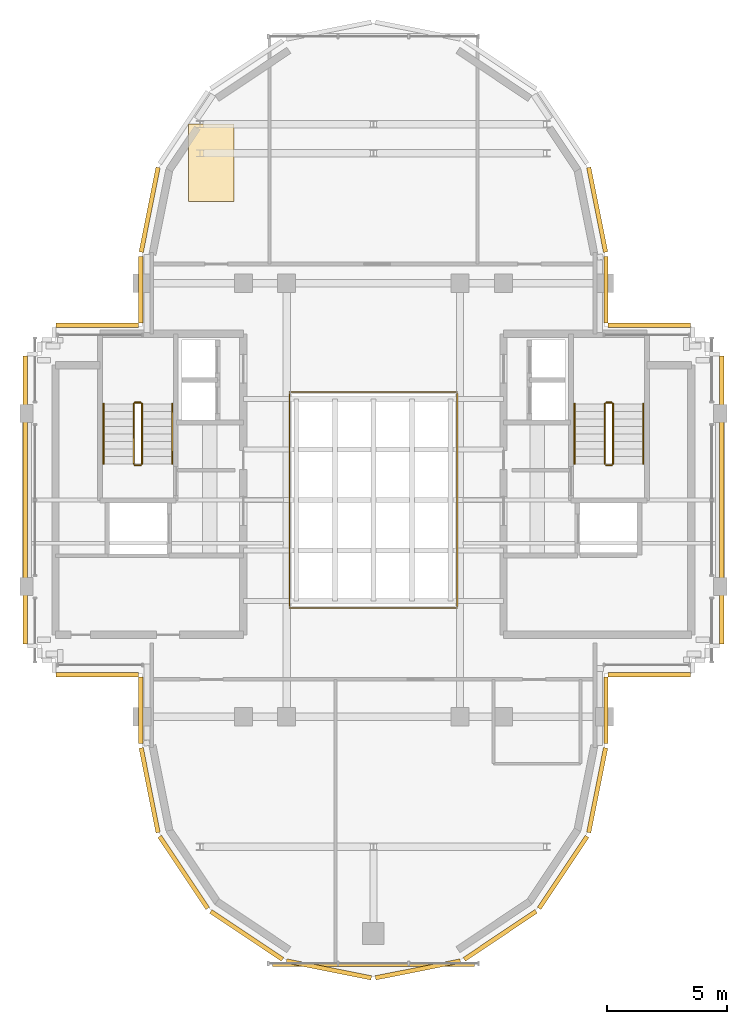
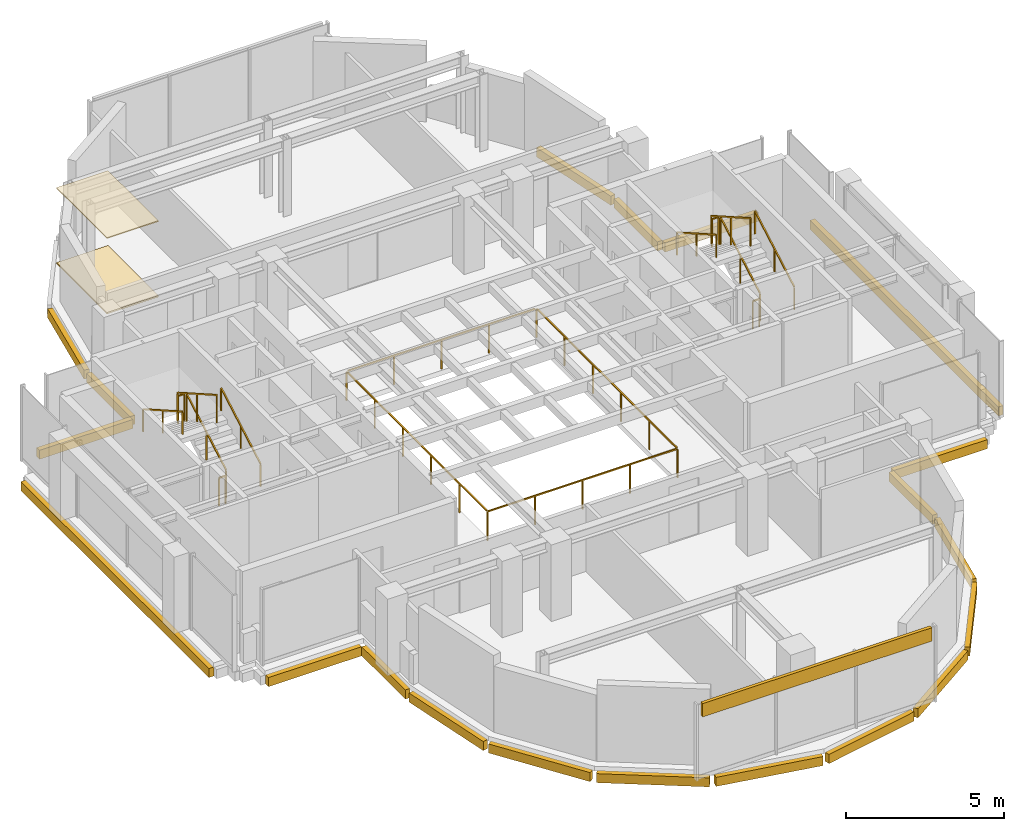
# One storey, part 10 of 11: 23 coverings, 13 railings.
"""IFC4 building model written with IfcOpenShell, lengths in metres."""

from ifc_helpers import new_model, si_unit, direction, frame, origin, origin_2d, place, context, subcontext, project, spatial, rectangle, extrude, source, transform, mapped, material, layer, layer_set, type_object, element, save


model = new_model("IFC4")

# Units and contexts
model_context = context("Model", 3, precision=1e-05, world=origin(), true_north=direction((0.0, 1.0)))
body_context = subcontext(model_context, "Body", "Model", "MODEL_VIEW")
ifc_project = project(units=[si_unit("LENGTHUNIT", "METRE"), si_unit("AREAUNIT", "SQUARE_METRE"), si_unit("VOLUMEUNIT", "CUBIC_METRE"), si_unit("PLANEANGLEUNIT", "RADIAN"), si_unit("MASSUNIT", "GRAM", prefix="KILO")], contexts=[model_context])

# Site, building, storey
site_placement = place(None, origin())
site = spatial("IfcSite", under=ifc_project, at=site_placement, CompositionType="ELEMENT")
building_placement = place(site_placement, origin())
building = spatial("IfcBuilding", under=site, at=building_placement, Name="Keilestroom Media Tower", CompositionType="ELEMENT")
storey_placement = place(building_placement, frame((0.0, 0.0, 268.39990234375)))
storey = spatial("IfcBuildingStorey", under=building, at=storey_placement, Name="L75", CompositionType="ELEMENT", Elevation=268.39990234375)

# Railings
ifc_material_1 = material(Name="Laminated Safety Glass & Bronze Steel", Category="steel")
railing_type_1 = type_object("IfcRailingType", Name="Atrium-Void-Guard-Balustrade-1150", PredefinedType="BALUSTRADE", material=ifc_material_1)
railing_1_placement = place(storey_placement, frame((-3.47998046875, -4.47998046875, 0.0)))
element("IfcRailing", 1, at=railing_1_placement, inside=storey, type_object=railing_type_1, Name="L75 Central Atrium Void Balustrade", PredefinedType="BALUSTRADE", context=body_context, shape_type="SweptSolid", body=[
    extrude(rectangle(XDim=0.048095703125, YDim=0.048095703125, at=origin_2d()), frame((0.0, 0.0, 1.1259765625), z_axis=(1.0, 0.0, 0.0), x_axis=(0.0, 1.0, 0.0)), (0.0, 0.0, 1.0), 6.911865234375),
    extrude(rectangle(XDim=0.048095703125, YDim=0.048095703125, at=origin_2d()), frame((6.9599609375, 0.048095703125, 1.1259765625), z_axis=(0.0, 1.0, 0.0), x_axis=(-1.0, 0.0, 0.0)), (0.0, 0.0, 1.0), 8.86376953125),
    extrude(rectangle(XDim=0.048095703125, YDim=0.048095703125, at=origin_2d()), frame((6.911865234375, 8.9599609375, 1.1259765625), z_axis=(-1.0, 0.0, 0.0), x_axis=(0.0, -1.0, 0.0)), (0.0, 0.0, 1.0), 6.86376953125),
    extrude(rectangle(XDim=0.048095703125, YDim=0.048095703125, at=origin_2d()), frame((0.0, 8.911865234375, 1.1259765625), z_axis=(0.0, -1.0, 0.0), x_axis=(1.0, 0.0, 0.0)), (0.0, 0.0, 1.0), 8.86376953125),
    extrude(rectangle(XDim=0.0419921875, YDim=0.0419921875, at=origin_2d()), origin(), (0.0, 0.0, 1.0), 1.09375),
    extrude(rectangle(XDim=0.0419921875, YDim=0.0419921875, at=origin_2d()), frame((1.739990234375, 0.0, 0.0)), (0.0, 0.0, 1.0), 1.09375),
    extrude(rectangle(XDim=0.0419921875, YDim=0.0419921875, at=origin_2d()), frame((3.47998046875, 0.0, 0.0)), (0.0, 0.0, 1.0), 1.09375),
    extrude(rectangle(XDim=0.0419921875, YDim=0.0419921875, at=origin_2d()), frame((5.219970703125, 0.0, 0.0)), (0.0, 0.0, 1.0), 1.09375),
    extrude(rectangle(XDim=0.0419921875, YDim=0.0419921875, at=origin_2d()), frame((6.9599609375, 0.0, 0.0)), (0.0, 0.0, 1.0), 1.09375),
    extrude(rectangle(XDim=0.0419921875, YDim=0.0419921875, at=origin_2d()), frame((6.9599609375, 1.7919921875, 0.0)), (0.0, 0.0, 1.0), 1.09375),
    extrude(rectangle(XDim=0.0419921875, YDim=0.0419921875, at=origin_2d()), frame((6.9599609375, 3.583984375, 0.0)), (0.0, 0.0, 1.0), 1.09375),
    extrude(rectangle(XDim=0.0419921875, YDim=0.0419921875, at=origin_2d()), frame((6.9599609375, 5.3759765625, 0.0)), (0.0, 0.0, 1.0), 1.09375),
    extrude(rectangle(XDim=0.0419921875, YDim=0.0419921875, at=origin_2d()), frame((6.9599609375, 7.16796875, 0.0)), (0.0, 0.0, 1.0), 1.09375),
    extrude(rectangle(XDim=0.0419921875, YDim=0.0419921875, at=origin_2d()), frame((6.9599609375, 8.9599609375, 0.0)), (0.0, 0.0, 1.0), 1.09375),
    extrude(rectangle(XDim=0.0419921875, YDim=0.0419921875, at=origin_2d()), frame((5.219970703125, 8.9599609375, 0.0)), (0.0, 0.0, 1.0), 1.09375),
    extrude(rectangle(XDim=0.0419921875, YDim=0.0419921875, at=origin_2d()), frame((3.47998046875, 8.9599609375, 0.0)), (0.0, 0.0, 1.0), 1.09375),
    extrude(rectangle(XDim=0.0419921875, YDim=0.0419921875, at=origin_2d()), frame((1.739990234375, 8.9599609375, 0.0)), (0.0, 0.0, 1.0), 1.09375),
    extrude(rectangle(XDim=0.0419921875, YDim=0.0419921875, at=origin_2d()), frame((0.0, 8.9599609375, 0.0)), (0.0, 0.0, 1.0), 1.09375),
    extrude(rectangle(XDim=0.0419921875, YDim=0.0419921875, at=origin_2d()), frame((0.0, 7.16796875, 0.0)), (0.0, 0.0, 1.0), 1.09375),
    extrude(rectangle(XDim=0.0419921875, YDim=0.0419921875, at=origin_2d()), frame((0.0, 5.3759765625, 0.0)), (0.0, 0.0, 1.0), 1.09375),
    extrude(rectangle(XDim=0.0419921875, YDim=0.0419921875, at=origin_2d()), frame((0.0, 3.583984375, 0.0)), (0.0, 0.0, 1.0), 1.09375),
    extrude(rectangle(XDim=0.0419921875, YDim=0.0419921875, at=origin_2d()), frame((0.0, 1.7919921875, 0.0)), (0.0, 0.0, 1.0), 1.09375),
])
ifc_material_2 = material(Name="Brushed Stainless Steel 1.4301", Category="steel")
railing_type_2 = type_object("IfcRailingType", Name="Stair-Pitch-Handrail-920", PredefinedType="HANDRAIL", material=ifc_material_2)
railing_2_placement = place(storey_placement, frame((-8.35009765625, 1.5, 0.177978515625)))
element("IfcRailing", 2, at=railing_2_placement, inside=storey, type_object=railing_type_2, Name="L75 ST-1 stair handrail 1", PredefinedType="HANDRAIL", context=body_context, shape_type="SweptSolid", body=[
    extrude(rectangle(XDim=0.048095703125, YDim=0.048095703125, at=origin_2d()), frame((0.0, 0.0, 0.8759765625), z_axis=(0.0, 0.868875238982, 0.495031129408), x_axis=(-1.0, 0.0, 0.0)), (0.0, 0.0, 1.0), 2.872802734375),
    extrude(rectangle(XDim=0.0419921875, YDim=0.0419921875, at=origin_2d()), origin(), (0.0, 0.0, 1.0), 0.84375),
    extrude(rectangle(XDim=0.0419921875, YDim=0.0419921875, at=origin_2d()), frame((0.0, 1.248046875, 0.7109375)), (0.0, 0.0, 1.0), 0.84375),
    extrude(rectangle(XDim=0.0419921875, YDim=0.0419921875, at=origin_2d()), frame((0.0, 2.49609375, 1.422119140625)), (0.0, 0.0, 1.0), 0.84375),
])
railing_3_placement = place(storey_placement, frame((-11.2099609375, 3.99609375, 1.77783203125)))
element("IfcRailing", 3, at=railing_3_placement, inside=storey, type_object=railing_type_2, Name="L75 ST-1 stair handrail 2", PredefinedType="HANDRAIL", context=body_context, shape_type="SweptSolid", body=[
    extrude(rectangle(XDim=0.048095703125, YDim=0.048095703125, at=origin_2d()), frame((0.0, 0.0, 0.8759765625), z_axis=(0.0, -0.868838684858, 0.495095283449), x_axis=(1.0, 0.0, 0.0)), (0.0, 0.0, 1.0), 2.872802734375),
    extrude(rectangle(XDim=0.0419921875, YDim=0.0419921875, at=origin_2d()), origin(), (0.0, 0.0, 1.0), 0.84375),
    extrude(rectangle(XDim=0.0419921875, YDim=0.0419921875, at=origin_2d()), frame((0.0, -1.248046875, 0.711181640625)), (0.0, 0.0, 1.0), 0.84375),
    extrude(rectangle(XDim=0.0419921875, YDim=0.0419921875, at=origin_2d()), frame((0.0, -2.49609375, 1.42236328125)), (0.0, 0.0, 1.0), 0.84375),
])
railing_4_placement = place(storey_placement, frame((11.2099609375, 1.5, 0.177978515625)))
element("IfcRailing", 4, at=railing_4_placement, inside=storey, type_object=railing_type_2, Name="L75 ST-2 stair handrail 1", PredefinedType="HANDRAIL", context=body_context, shape_type="SweptSolid", body=[
    extrude(rectangle(XDim=0.048095703125, YDim=0.048095703125, at=origin_2d()), frame((0.0, 0.0, 0.8759765625), z_axis=(0.0, 0.868875238982, 0.495031129408), x_axis=(-1.0, 0.0, 0.0)), (0.0, 0.0, 1.0), 2.872802734375),
    extrude(rectangle(XDim=0.0419921875, YDim=0.0419921875, at=origin_2d()), origin(), (0.0, 0.0, 1.0), 0.84375),
    extrude(rectangle(XDim=0.0419921875, YDim=0.0419921875, at=origin_2d()), frame((0.0, 1.248046875, 0.7109375)), (0.0, 0.0, 1.0), 0.84375),
    extrude(rectangle(XDim=0.0419921875, YDim=0.0419921875, at=origin_2d()), frame((0.0, 2.49609375, 1.422119140625)), (0.0, 0.0, 1.0), 0.84375),
])
railing_5_placement = place(storey_placement, frame((8.35009765625, 3.99609375, 1.77783203125)))
element("IfcRailing", 5, at=railing_5_placement, inside=storey, type_object=railing_type_2, Name="L75 ST-2 stair handrail 2", PredefinedType="HANDRAIL", context=body_context, shape_type="SweptSolid", body=[
    extrude(rectangle(XDim=0.048095703125, YDim=0.048095703125, at=origin_2d()), frame((0.0, 0.0, 0.8759765625), z_axis=(0.0, -0.868838684858, 0.495095283449), x_axis=(1.0, 0.0, 0.0)), (0.0, 0.0, 1.0), 2.872802734375),
    extrude(rectangle(XDim=0.0419921875, YDim=0.0419921875, at=origin_2d()), origin(), (0.0, 0.0, 1.0), 0.84375),
    extrude(rectangle(XDim=0.0419921875, YDim=0.0419921875, at=origin_2d()), frame((0.0, -1.248046875, 0.711181640625)), (0.0, 0.0, 1.0), 0.84375),
    extrude(rectangle(XDim=0.0419921875, YDim=0.0419921875, at=origin_2d()), frame((0.0, -2.49609375, 1.42236328125)), (0.0, 0.0, 1.0), 0.84375),
])
ifc_material_3 = material(Name="Painted Steel Balustrade", Category="steel")
railing_type_3 = type_object("IfcRailingType", Name="Stair-Well-And-Landing-Guard-1100", PredefinedType="GUARDRAIL", material=ifc_material_3)
railing_6_placement = place(storey_placement, frame((-9.610107421875, 1.5, 0.177978515625)))
element("IfcRailing", 6, at=railing_6_placement, inside=storey, type_object=railing_type_3, Name="L75 ST-1 stair guard 1", PredefinedType="GUARDRAIL", context=body_context, shape_type="SweptSolid", body=[
    extrude(rectangle(XDim=0.048095703125, YDim=0.048095703125, at=origin_2d()), frame((0.0, 0.0, 1.076171875), z_axis=(0.0, 0.868875238982, 0.495031129408), x_axis=(-1.0, 0.0, 0.0)), (0.0, 0.0, 1.0), 2.872802734375),
    extrude(rectangle(XDim=0.0419921875, YDim=0.0419921875, at=origin_2d()), origin(), (0.0, 0.0, 1.0), 1.0439453125),
    extrude(rectangle(XDim=0.0419921875, YDim=0.0419921875, at=origin_2d()), frame((0.0, 1.248046875, 0.7109375)), (0.0, 0.0, 1.0), 1.0439453125),
    extrude(rectangle(XDim=0.0419921875, YDim=0.0419921875, at=origin_2d()), frame((0.0, 2.49609375, 1.422119140625)), (0.0, 0.0, 1.0), 1.0439453125),
])
railing_7_placement = place(storey_placement, frame((-9.659912109375, 4.0458984375, 1.60009765625)))
element("IfcRailing", 7, at=railing_7_placement, inside=storey, type_object=railing_type_3, Name="L75 ST-1 stair guard 2", PredefinedType="GUARDRAIL", context=body_context, shape_type="SweptSolid", body=[
    extrude(rectangle(XDim=0.048095703125, YDim=0.048095703125, at=origin_2d()), frame((0.0, 0.0, 1.076171875), z_axis=(-1.0, 0.0, 0.0), x_axis=(0.0, -1.0, 0.0)), (0.0, 0.0, 1.0), 0.239990234375),
    extrude(rectangle(XDim=0.0419921875, YDim=0.0419921875, at=origin_2d()), origin(), (0.0, 0.0, 1.0), 1.0439453125),
    extrude(rectangle(XDim=0.0419921875, YDim=0.0419921875, at=origin_2d()), frame((-0.239990234375, 0.0, 0.0)), (0.0, 0.0, 1.0), 1.0439453125),
])
railing_8_placement = place(storey_placement, frame((-9.949951171875, 3.99609375, 1.77783203125)))
element("IfcRailing", 8, at=railing_8_placement, inside=storey, type_object=railing_type_3, Name="L75 ST-1 stair guard 3", PredefinedType="GUARDRAIL", context=body_context, shape_type="SweptSolid", body=[
    extrude(rectangle(XDim=0.048095703125, YDim=0.048095703125, at=origin_2d()), frame((0.0, 0.0, 1.076171875), z_axis=(0.0, -0.868838684858, 0.495095283449), x_axis=(1.0, 0.0, 0.0)), (0.0, 0.0, 1.0), 2.872802734375),
    extrude(rectangle(XDim=0.0419921875, YDim=0.0419921875, at=origin_2d()), origin(), (0.0, 0.0, 1.0), 1.0439453125),
    extrude(rectangle(XDim=0.0419921875, YDim=0.0419921875, at=origin_2d()), frame((0.0, -1.248046875, 0.711181640625)), (0.0, 0.0, 1.0), 1.0439453125),
    extrude(rectangle(XDim=0.0419921875, YDim=0.0419921875, at=origin_2d()), frame((0.0, -2.49609375, 1.42236328125)), (0.0, 0.0, 1.0), 1.0439453125),
])
railing_9_placement = place(storey_placement, frame((-9.659912109375, 1.449951171875, 0.0)))
element("IfcRailing", 9, at=railing_9_placement, inside=storey, type_object=railing_type_3, Name="L75 ST-1 stair guard 4", PredefinedType="GUARDRAIL", context=body_context, shape_type="SweptSolid", body=[
    extrude(rectangle(XDim=0.048095703125, YDim=0.048095703125, at=origin_2d()), frame((0.0, 0.0, 1.076171875), z_axis=(-1.0, 0.0, 0.0), x_axis=(0.0, -1.0, 0.0)), (0.0, 0.0, 1.0), 0.239990234375),
    extrude(rectangle(XDim=0.0419921875, YDim=0.0419921875, at=origin_2d()), origin(), (0.0, 0.0, 1.0), 1.0439453125),
    extrude(rectangle(XDim=0.0419921875, YDim=0.0419921875, at=origin_2d()), frame((-0.239990234375, 0.0, 0.0)), (0.0, 0.0, 1.0), 1.0439453125),
])
railing_10_placement = place(storey_placement, frame((9.949951171875, 1.5, 0.177978515625)))
element("IfcRailing", 10, at=railing_10_placement, inside=storey, type_object=railing_type_3, Name="L75 ST-2 stair guard 1", PredefinedType="GUARDRAIL", context=body_context, shape_type="SweptSolid", body=[
    extrude(rectangle(XDim=0.048095703125, YDim=0.048095703125, at=origin_2d()), frame((0.0, 0.0, 1.076171875), z_axis=(0.0, 0.868875238982, 0.495031129408), x_axis=(-1.0, 0.0, 0.0)), (0.0, 0.0, 1.0), 2.872802734375),
    extrude(rectangle(XDim=0.0419921875, YDim=0.0419921875, at=origin_2d()), origin(), (0.0, 0.0, 1.0), 1.0439453125),
    extrude(rectangle(XDim=0.0419921875, YDim=0.0419921875, at=origin_2d()), frame((0.0, 1.248046875, 0.7109375)), (0.0, 0.0, 1.0), 1.0439453125),
    extrude(rectangle(XDim=0.0419921875, YDim=0.0419921875, at=origin_2d()), frame((0.0, 2.49609375, 1.422119140625)), (0.0, 0.0, 1.0), 1.0439453125),
])
railing_11_placement = place(storey_placement, frame((9.89990234375, 4.0458984375, 1.60009765625)))
element("IfcRailing", 11, at=railing_11_placement, inside=storey, type_object=railing_type_3, Name="L75 ST-2 stair guard 2", PredefinedType="GUARDRAIL", context=body_context, shape_type="SweptSolid", body=[
    extrude(rectangle(XDim=0.048095703125, YDim=0.048095703125, at=origin_2d()), frame((0.0, 0.0, 1.076171875), z_axis=(-1.0, 0.0, 0.0), x_axis=(0.0, -1.0, 0.0)), (0.0, 0.0, 1.0), 0.239990234375),
    extrude(rectangle(XDim=0.0419921875, YDim=0.0419921875, at=origin_2d()), origin(), (0.0, 0.0, 1.0), 1.0439453125),
    extrude(rectangle(XDim=0.0419921875, YDim=0.0419921875, at=origin_2d()), frame((-0.239990234375, 0.0, 0.0)), (0.0, 0.0, 1.0), 1.0439453125),
])
railing_12_placement = place(storey_placement, frame((9.610107421875, 3.99609375, 1.77783203125)))
element("IfcRailing", 12, at=railing_12_placement, inside=storey, type_object=railing_type_3, Name="L75 ST-2 stair guard 3", PredefinedType="GUARDRAIL", context=body_context, shape_type="SweptSolid", body=[
    extrude(rectangle(XDim=0.048095703125, YDim=0.048095703125, at=origin_2d()), frame((0.0, 0.0, 1.076171875), z_axis=(0.0, -0.868838684858, 0.495095283449), x_axis=(1.0, 0.0, 0.0)), (0.0, 0.0, 1.0), 2.872802734375),
    extrude(rectangle(XDim=0.0419921875, YDim=0.0419921875, at=origin_2d()), origin(), (0.0, 0.0, 1.0), 1.0439453125),
    extrude(rectangle(XDim=0.0419921875, YDim=0.0419921875, at=origin_2d()), frame((0.0, -1.248046875, 0.711181640625)), (0.0, 0.0, 1.0), 1.0439453125),
    extrude(rectangle(XDim=0.0419921875, YDim=0.0419921875, at=origin_2d()), frame((0.0, -2.49609375, 1.42236328125)), (0.0, 0.0, 1.0), 1.0439453125),
])
railing_13_placement = place(storey_placement, frame((9.89990234375, 1.449951171875, 0.0)))
element("IfcRailing", 13, at=railing_13_placement, inside=storey, type_object=railing_type_3, Name="L75 ST-2 stair guard 4", PredefinedType="GUARDRAIL", context=body_context, shape_type="SweptSolid", body=[
    extrude(rectangle(XDim=0.048095703125, YDim=0.048095703125, at=origin_2d()), frame((0.0, 0.0, 1.076171875), z_axis=(-1.0, 0.0, 0.0), x_axis=(0.0, -1.0, 0.0)), (0.0, 0.0, 1.0), 0.239990234375),
    extrude(rectangle(XDim=0.0419921875, YDim=0.0419921875, at=origin_2d()), origin(), (0.0, 0.0, 1.0), 1.0439453125),
    extrude(rectangle(XDim=0.0419921875, YDim=0.0419921875, at=origin_2d()), frame((-0.239990234375, 0.0, 0.0)), (0.0, 0.0, 1.0), 1.0439453125),
])

# Coverings
ifc_material_4 = material(Name="Precast concrete C40/50", Category="concrete")
ifc_layer_1 = layer(ifc_material_4, 0.1201171875)
ifc_layer_set_1 = layer_set([ifc_layer_1], Name="Precast concrete C40/50")
covering_type_1 = type_object("IfcCoveringType", Name="Exterior-Precast-Spandrel-Cladding-Panel-120", PredefinedType="CLADDING", material=ifc_layer_set_1)
shared_shape_1 = source(origin(), body_context, "Body", "SweptSolid", [
    extrude(rectangle(XDim=8.39990234375, YDim=0.1201171875, at=origin_2d()), origin(), (0.0, 0.0, 1.0), 0.52001953125),
])
covering_1_placement = place(storey_placement, frame((0.0, -19.320068359375, 2.4501953125), z_axis=(0.0, 0.0, 1.0), x_axis=(1.0, 0.0, 0.0)))
element("IfcCovering", 14, at=covering_1_placement, inside=storey, type_object=covering_type_1, Name="L75 Precast Spandrel Cladding S", PredefinedType="CLADDING", context=body_context, shape_type="MappedRepresentation", body=[
    mapped(shared_shape_1, transform((0.0, 0.0, 0.0), x_axis=(1.0, 0.0, 0.0), y_axis=(0.0, 1.0, 0.0), z_axis=(0.0, 0.0, 1.0), scale=1.0)),
])
shared_shape_2 = source(origin(), body_context, "Body", "SweptSolid", [
    extrude(rectangle(XDim=2.765869140625, YDim=0.179931640625, at=origin_2d()), origin(), (0.0, 0.0, 1.0), 0.35009765625),
])
for number, where, z_axis, x_axis, name in (
    (15, (9.659912109375, -8.73291015625, -0.530029296875), (0.0, 0.0, 1.0), (0.0, -1.0, 0.0), "L75 Precast Slab-Edge Fascia Cornice 06"),
    (16, (-9.659912109375, -8.73291015625, -0.530029296875), (0.0, 0.0, 1.0), (0.0, 1.0, 0.0), "L75 Precast Slab-Edge Fascia Cornice 15"),
    (17, (-9.659912109375, 8.73291015625, -0.530029296875), (0.0, 0.0, 1.0), (0.0, 1.0, 0.0), "L75 Precast Slab-Edge Fascia Cornice 27"),
    (18, (9.659912109375, 8.73291015625, -0.530029296875), (0.0, 0.0, 1.0), (0.0, -1.0, 0.0), "L75 Precast Slab-Edge Fascia Cornice 36"),
):
    element("IfcCovering", number, at=place(storey_placement, frame(where, z_axis=z_axis, x_axis=x_axis)), inside=storey, type_object=covering_type_1, Name=name, PredefinedType="CLADDING", context=body_context, shape_type="MappedRepresentation", body=[
        mapped(shared_shape_2, transform((0.0, 0.0, 0.0), x_axis=(1.0, 0.0, 0.0), y_axis=(0.0, 1.0, 0.0), z_axis=(0.0, 0.0, 1.0), scale=1.0)),
    ])
shared_shape_3 = source(origin(), body_context, "Body", "SweptSolid", [
    extrude(rectangle(XDim=3.58349609375, YDim=0.179931640625, at=origin_2d()), origin(), (0.0, 0.0, 1.0), 0.35009765625),
])
for number, where, z_axis, x_axis, name in (
    (19, (9.29296875, -12.051513671875, -0.530029296875), (0.0, 0.0, 1.0), (-0.195098880975, -0.980783577882, 0.0), "L75 Precast Slab-Edge Fascia Cornice 07"),
    (20, (-9.29296875, -12.051513671875, -0.530029296875), (0.0, 0.0, 1.0), (-0.195098880975, 0.980783577882, 0.0), "L75 Precast Slab-Edge Fascia Cornice 14"),
    (21, (-9.29296875, 12.051513671875, -0.530029296875), (0.0, 0.0, 1.0), (0.195098880975, 0.980783577882, 0.0), "L75 Precast Slab-Edge Fascia Cornice 28"),
    (22, (9.29296875, 12.051513671875, -0.530029296875), (0.0, 0.0, 1.0), (0.195098880975, -0.980783577882, 0.0), "L75 Precast Slab-Edge Fascia Cornice 35"),
):
    element("IfcCovering", number, at=place(storey_placement, frame(where, z_axis=z_axis, x_axis=x_axis)), inside=storey, type_object=covering_type_1, Name=name, PredefinedType="CLADDING", context=body_context, shape_type="MappedRepresentation", body=[
        mapped(shared_shape_3, transform((0.0, 0.0, 0.0), x_axis=(1.0, 0.0, 0.0), y_axis=(0.0, 1.0, 0.0), z_axis=(0.0, 0.0, 1.0), scale=1.0)),
    ])
shared_shape_4 = source(origin(), body_context, "Body", "SweptSolid", [
    extrude(rectangle(XDim=3.589599609375, YDim=0.179931640625, at=origin_2d()), origin(), (0.0, 0.0, 1.0), 0.35009765625),
])
for number, where, z_axis, x_axis, name in (
    (23, (7.878662109375, -15.46435546875, -0.530029296875), (0.0, 0.0, 1.0), (-0.555574586577, -0.831466703332, 0.0), "L75 Precast Slab-Edge Fascia Cornice 08"),
    (24, (5.264404296875, -18.07861328125, -0.530029296875), (0.0, 0.0, 1.0), (-0.831466703332, -0.555574586577, 0.0), "L75 Precast Slab-Edge Fascia Cornice 09"),
    (25, (1.8486328125, -19.493408203125, -0.530029296875), (0.0, 0.0, 1.0), (-0.980783577882, -0.195098880975, 0.0), "L75 Precast Slab-Edge Fascia Cornice 10"),
    (26, (-1.8486328125, -19.493408203125, -0.530029296875), (0.0, 0.0, 1.0), (-0.980783577882, 0.195098880975, 0.0), "L75 Precast Slab-Edge Fascia Cornice 11"),
    (27, (-5.264404296875, -18.07861328125, -0.530029296875), (0.0, 0.0, 1.0), (-0.831466703332, 0.555574586577, 0.0), "L75 Precast Slab-Edge Fascia Cornice 12"),
    (28, (-7.878662109375, -15.46435546875, -0.530029296875), (0.0, 0.0, 1.0), (-0.555574586577, 0.831466703332, 0.0), "L75 Precast Slab-Edge Fascia Cornice 13"),
):
    element("IfcCovering", number, at=place(storey_placement, frame(where, z_axis=z_axis, x_axis=x_axis)), inside=storey, type_object=covering_type_1, Name=name, PredefinedType="CLADDING", context=body_context, shape_type="MappedRepresentation", body=[
        mapped(shared_shape_4, transform((0.0, 0.0, 0.0), x_axis=(1.0, 0.0, 0.0), y_axis=(0.0, 1.0, 0.0), z_axis=(0.0, 0.0, 1.0), scale=1.0)),
    ])
shared_shape_5 = source(origin(), body_context, "Body", "SweptSolid", [
    extrude(rectangle(XDim=3.419921875, YDim=0.179931640625, at=origin_2d()), origin(), (0.0, 0.0, 1.0), 0.35009765625),
])
for number, where, z_axis, x_axis, name in (
    (29, (11.4599609375, -7.260009765625, -0.530029296875), (0.0, 0.0, 1.0), (-1.0, 0.0, 0.0), "L75 Precast Slab-Edge Fascia Cornice 05"),
    (30, (-11.4599609375, -7.260009765625, -0.530029296875), (0.0, 0.0, 1.0), (-1.0, 0.0, 0.0), "L75 Precast Slab-Edge Fascia Cornice 16"),
    (31, (-11.4599609375, 7.260009765625, -0.530029296875), (0.0, 0.0, 1.0), (1.0, 0.0, 0.0), "L75 Precast Slab-Edge Fascia Cornice 26"),
    (32, (11.4599609375, 7.260009765625, -0.530029296875), (0.0, 0.0, 1.0), (1.0, 0.0, 0.0), "L75 Precast Slab-Edge Fascia Cornice 37"),
):
    element("IfcCovering", number, at=place(storey_placement, frame(where, z_axis=z_axis, x_axis=x_axis)), inside=storey, type_object=covering_type_1, Name=name, PredefinedType="CLADDING", context=body_context, shape_type="MappedRepresentation", body=[
        mapped(shared_shape_5, transform((0.0, 0.0, 0.0), x_axis=(1.0, 0.0, 0.0), y_axis=(0.0, 1.0, 0.0), z_axis=(0.0, 0.0, 1.0), scale=1.0)),
    ])
shared_shape_6 = source(origin(), body_context, "Body", "SweptSolid", [
    extrude(rectangle(XDim=11.93994140625, YDim=0.179931640625, at=origin_2d()), origin(), (0.0, 0.0, 1.0), 0.35009765625),
])
for number, where, z_axis, x_axis, name in (
    (33, (-14.4599609375, 0.0, -0.530029296875), (0.0, 0.0, 1.0), (0.0, 1.0, 0.0), "L75 Precast Slab-Edge Fascia Cornice 21"),
    (34, (14.4599609375, 0.0, -0.530029296875), (0.0, 0.0, 1.0), (0.0, -1.0, 0.0), "L75 Precast Slab-Edge Fascia Cornice 42"),
):
    element("IfcCovering", number, at=place(storey_placement, frame(where, z_axis=z_axis, x_axis=x_axis)), inside=storey, type_object=covering_type_1, Name=name, PredefinedType="CLADDING", context=body_context, shape_type="MappedRepresentation", body=[
        mapped(shared_shape_6, transform((0.0, 0.0, 0.0), x_axis=(1.0, 0.0, 0.0), y_axis=(0.0, 1.0, 0.0), z_axis=(0.0, 0.0, 1.0), scale=1.0)),
    ])
ifc_material_5 = material(Name="Mineral-Fibre Acoustic Ceiling Tile", Category="gypsum")
ifc_layer_2 = layer(ifc_material_5, 0.0400390625)
ifc_layer_set_2 = layer_set([ifc_layer_2], Name="Mineral-Fibre Acoustic Ceiling Tile")
covering_type_2 = type_object("IfcCoveringType", Name="Suspended-Acoustic-Ceiling-40", PredefinedType="CEILING", material=ifc_layer_set_2)
shared_shape_7 = source(origin(), body_context, "Body", "SweptSolid", [
    extrude(rectangle(XDim=1.884033203125, YDim=3.199951171875, at=origin_2d()), origin(), (0.0, 0.0, 1.0), 0.0400390625),
])
covering_2_placement = place(storey_placement, frame((-6.735107421875, 14.0048828125, 2.920166015625), z_axis=(0.0, 0.0, 1.0), x_axis=(1.0, 0.0, 0.0)))
element("IfcCovering", 35, at=covering_2_placement, inside=storey, type_object=covering_type_2, Name="L75 Suspended Acoustic Ceiling 1", PredefinedType="CEILING", context=body_context, shape_type="MappedRepresentation", body=[
    mapped(shared_shape_7, transform((0.0, 0.0, 0.0), x_axis=(1.0, 0.0, 0.0), y_axis=(0.0, 1.0, 0.0), z_axis=(0.0, 0.0, 1.0), scale=1.0)),
])
ifc_material_6 = material(Name="Calcium-Sulphate Raised Access Floor", Category="concrete")
ifc_layer_3 = layer(ifc_material_6, 0.06005859375)
ifc_layer_set_3 = layer_set([ifc_layer_3], Name="Calcium-Sulphate Raised Access Floor")
covering_type_3 = type_object("IfcCoveringType", Name="Raised-Access-And-Acoustic-Flooring-60", PredefinedType="FLOORING", material=ifc_layer_set_3)
shared_shape_8 = source(origin(), body_context, "Body", "SweptSolid", [
    extrude(rectangle(XDim=1.884033203125, YDim=3.199951171875, at=origin_2d()), origin(), (0.0, 0.0, 1.0), 0.06005859375),
])
covering_3_placement = place(storey_placement, frame((-6.735107421875, 14.0048828125, 0.0), z_axis=(0.0, 0.0, 1.0), x_axis=(1.0, 0.0, 0.0)))
element("IfcCovering", 36, at=covering_3_placement, inside=storey, type_object=covering_type_3, Name="L75 Raised Access Flooring 1", PredefinedType="FLOORING", context=body_context, shape_type="MappedRepresentation", body=[
    mapped(shared_shape_8, transform((0.0, 0.0, 0.0), x_axis=(1.0, 0.0, 0.0), y_axis=(0.0, 1.0, 0.0), z_axis=(0.0, 0.0, 1.0), scale=1.0)),
])

save(model, "model.ifc")
